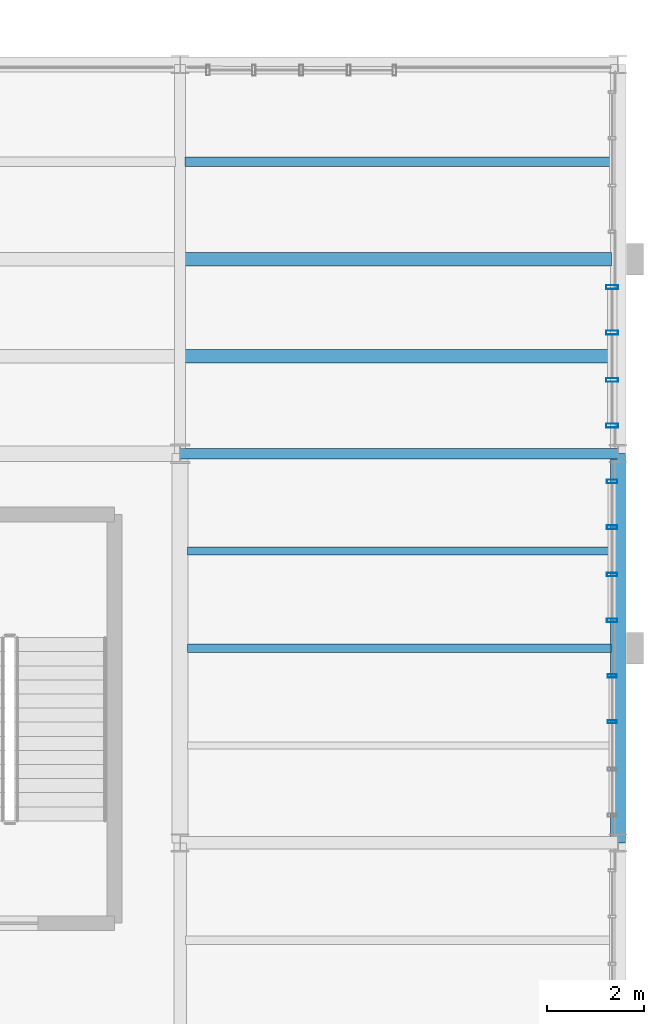
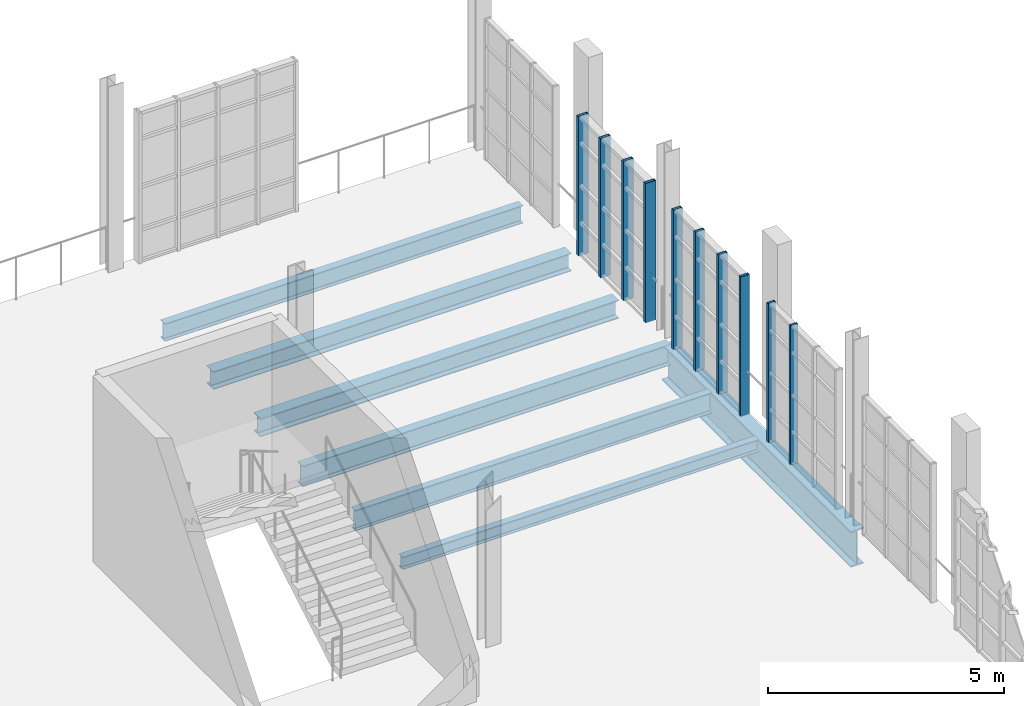
# One storey, part 59 of 122: 10 members, 7 beams, 3 elements without a shape of their own.
"""IFC4 building model written with IfcOpenShell, lengths in metres."""

from ifc_helpers import new_model, si_unit, direction, frame, origin, origin_2d, place, context, subcontext, project, spatial, hollow_rectangle, i_section, extrude, material, layer, layer_set, material_profile, profile_set, type_object, element, aggregate, save


model = new_model("IFC4")

# Units and contexts
model_context = context("Model", 3, precision=1e-05, world=origin(), true_north=direction((0.0, 1.0)))
body_context = subcontext(model_context, "Body", "Model", "MODEL_VIEW")
ifc_project = project(units=[si_unit("LENGTHUNIT", "METRE"), si_unit("AREAUNIT", "SQUARE_METRE"), si_unit("VOLUMEUNIT", "CUBIC_METRE"), si_unit("PLANEANGLEUNIT", "RADIAN"), si_unit("MASSUNIT", "GRAM", prefix="KILO"), si_unit("THERMODYNAMICTEMPERATUREUNIT", "KELVIN"), si_unit("POWERUNIT", "WATT")], contexts=[model_context])

# Site, building, storey
site_placement = place(None, origin())
site = spatial("IfcSite", under=ifc_project, at=site_placement, CompositionType="ELEMENT")
building_placement = place(site_placement, origin())
building = spatial("IfcBuilding", under=site, at=building_placement, Name="Zelmaris Science Centre", CompositionType="ELEMENT")
storey_placement = place(building_placement, frame((0.0, 0.0, 10.800048828125)))
storey = spatial("IfcBuildingStorey", under=building, at=storey_placement, Name="L02", CompositionType="ELEMENT", Elevation=10.800048828125)

# Curtain wall, members
ifc_material_1 = material(Name="Anodised architectural aluminium 6063-T6", Category="aluminium")
ifc_layer_1 = layer(ifc_material_1, 0.2099609375, Name="Anodised architectural aluminium 6063-T6")
ifc_layer_set_1 = layer_set([ifc_layer_1], Name="Anodised architectural aluminium 6063-T6")
curtain_wall_type_1 = type_object("IfcCurtainWallType", Name="Curtain Wall CW-03", PredefinedType="USERDEFINED", material=ifc_layer_set_1)
curtain_wall_1_placement = place(storey_placement, origin())
curtain_wall_1 = element("IfcCurtainWall", 1, at=curtain_wall_1_placement, inside=storey, type_object=curtain_wall_type_1, Name="L02 Unitised curtain wall 227", ObjectType="GLAZED CURTAIN WALL", PredefinedType="USERDEFINED")
ifc_material_profile_1 = material_profile(ifc_material_1, hollow_rectangle(XDim=0.06494140625, YDim=0.179931640625, WallThickness=0.00390625, at=origin_2d()), Name="ALU-MUL-65X180")
ifc_profile_set_1 = profile_set([ifc_material_profile_1], Name="Anodised architectural aluminium 6063-T6")
member_type_1 = type_object("IfcMemberType", Name="ALU-MUL-65X180", PredefinedType="MULLION", material=ifc_profile_set_1)
member_1_placement = place(storey_placement, frame((143.8798828125, 43.431396484375, -0.01513671875), z_axis=(0.0, 0.0, 1.0), x_axis=(0.0, -1.0, 0.0)))
member_1 = element("IfcMember", 2, at=member_1_placement, type_object=member_type_1, Name="CW-03 mullion 1", PredefinedType="MULLION", context=body_context, shape_type="SweptSolid", body=[
    extrude(hollow_rectangle(XDim=0.06494140625, YDim=0.179931640625, WallThickness=0.00390625, at=origin_2d()), origin(), (0.0, 0.0, 1.0), 3.60107421875),
])
member_2_placement = place(storey_placement, frame((143.8798828125, 42.486572265625, -0.01513671875), z_axis=(0.0, 0.0, 1.0), x_axis=(0.0, -1.0, 0.0)))
member_2 = element("IfcMember", 3, at=member_2_placement, type_object=member_type_1, Name="CW-03 mullion 2", PredefinedType="MULLION", context=body_context, shape_type="SweptSolid", body=[
    extrude(hollow_rectangle(XDim=0.06494140625, YDim=0.179931640625, WallThickness=0.00390625, at=origin_2d()), origin(), (0.0, 0.0, 1.0), 3.60107421875),
])
aggregate(curtain_wall_1, [member_1, member_2])

ifc_layer_2 = layer(ifc_material_1, 0.199951171875, Name="Anodised architectural aluminium 6063-T6")
ifc_layer_set_2 = layer_set([ifc_layer_2], Name="Anodised architectural aluminium 6063-T6")
curtain_wall_type_2 = type_object("IfcCurtainWallType", Name="Curtain Wall CW-02", PredefinedType="USERDEFINED", material=ifc_layer_set_2)
curtain_wall_2_placement = place(storey_placement, origin())
curtain_wall_2 = element("IfcCurtainWall", 4, at=curtain_wall_2_placement, inside=storey, type_object=curtain_wall_type_2, Name="L02 Unitised curtain wall 226", ObjectType="GLAZED CURTAIN WALL", PredefinedType="USERDEFINED")
ifc_material_profile_2 = material_profile(ifc_material_1, hollow_rectangle(XDim=0.074951171875, YDim=0.219970703125, WallThickness=0.0048828125, at=origin_2d()), Name="ALU-MUL-75X220")
ifc_profile_set_2 = profile_set([ifc_material_profile_2], Name="Anodised architectural aluminium 6063-T6")
member_type_2 = type_object("IfcMemberType", Name="ALU-MUL-75X220", PredefinedType="MULLION", material=ifc_profile_set_2)
member_3_placement = place(storey_placement, frame((143.8798828125, 47.426513671875, -0.01513671875), z_axis=(0.0, 0.0, 1.0), x_axis=(0.0, -1.0, 0.0)))
member_3 = element("IfcMember", 5, at=member_3_placement, type_object=member_type_2, Name="CW-02 mullion 1", PredefinedType="MULLION", context=body_context, shape_type="SweptSolid", body=[
    extrude(hollow_rectangle(XDim=0.074951171875, YDim=0.219970703125, WallThickness=0.0048828125, at=origin_2d()), origin(), (0.0, 0.0, 1.0), 3.608154296875),
])
member_4_placement = place(storey_placement, frame((143.8798828125, 46.486572265625, -0.01513671875), z_axis=(0.0, 0.0, 1.0), x_axis=(0.0, -1.0, 0.0)))
member_4 = element("IfcMember", 6, at=member_4_placement, type_object=member_type_2, Name="CW-02 mullion 2", PredefinedType="MULLION", context=body_context, shape_type="SweptSolid", body=[
    extrude(hollow_rectangle(XDim=0.074951171875, YDim=0.219970703125, WallThickness=0.0048828125, at=origin_2d()), origin(), (0.0, 0.0, 1.0), 3.608154296875),
])
member_5_placement = place(storey_placement, frame((143.8798828125, 45.513427734375, -0.01513671875), z_axis=(0.0, 0.0, 1.0), x_axis=(0.0, -1.0, 0.0)))
member_5 = element("IfcMember", 7, at=member_5_placement, type_object=member_type_2, Name="CW-02 mullion 3", PredefinedType="MULLION", context=body_context, shape_type="SweptSolid", body=[
    extrude(hollow_rectangle(XDim=0.074951171875, YDim=0.219970703125, WallThickness=0.0048828125, at=origin_2d()), origin(), (0.0, 0.0, 1.0), 3.608154296875),
])
member_6_placement = place(storey_placement, frame((143.8798828125, 44.573486328125, -0.01513671875), z_axis=(0.0, 0.0, 1.0), x_axis=(0.0, -1.0, 0.0)))
member_6 = element("IfcMember", 8, at=member_6_placement, type_object=member_type_2, Name="CW-02 mullion 4", PredefinedType="MULLION", context=body_context, shape_type="SweptSolid", body=[
    extrude(hollow_rectangle(XDim=0.074951171875, YDim=0.219970703125, WallThickness=0.0048828125, at=origin_2d()), origin(), (0.0, 0.0, 1.0), 3.608154296875),
])
aggregate(curtain_wall_2, [member_3, member_4, member_5, member_6])

ifc_layer_3 = layer(ifc_material_1, 0.18994140625, Name="Anodised architectural aluminium 6063-T6")
ifc_layer_set_3 = layer_set([ifc_layer_3], Name="Anodised architectural aluminium 6063-T6")
curtain_wall_type_3 = type_object("IfcCurtainWallType", Name="Curtain Wall CW-01", PredefinedType="USERDEFINED", material=ifc_layer_set_3)
curtain_wall_3_placement = place(storey_placement, origin())
curtain_wall_3 = element("IfcCurtainWall", 9, at=curtain_wall_3_placement, inside=storey, type_object=curtain_wall_type_3, Name="L02 Unitised curtain wall 225", ObjectType="GLAZED CURTAIN WALL", PredefinedType="USERDEFINED")
ifc_material_profile_3 = material_profile(ifc_material_1, hollow_rectangle(XDim=0.080078125, YDim=0.25, WallThickness=0.0048828125, at=origin_2d()), Name="ALU-MUL-80X250")
ifc_profile_set_3 = profile_set([ifc_material_profile_3], Name="Anodised architectural aluminium 6063-T6")
member_type_3 = type_object("IfcMemberType", Name="ALU-MUL-80X250", PredefinedType="MULLION", material=ifc_profile_set_3)
member_7_placement = place(storey_placement, frame((143.8798828125, 51.424072265625, -0.01513671875), z_axis=(0.0, 0.0, 1.0), x_axis=(0.0, -1.0, 0.0)))
member_7 = element("IfcMember", 10, at=member_7_placement, type_object=member_type_3, Name="CW-01 mullion 1", PredefinedType="MULLION", context=body_context, shape_type="SweptSolid", body=[
    extrude(hollow_rectangle(XDim=0.080078125, YDim=0.25, WallThickness=0.0048828125, at=origin_2d()), origin(), (0.0, 0.0, 1.0), 3.608154296875),
])
member_8_placement = place(storey_placement, frame((143.8798828125, 50.486572265625, -0.01513671875), z_axis=(0.0, 0.0, 1.0), x_axis=(0.0, -1.0, 0.0)))
member_8 = element("IfcMember", 11, at=member_8_placement, type_object=member_type_3, Name="CW-01 mullion 2", PredefinedType="MULLION", context=body_context, shape_type="SweptSolid", body=[
    extrude(hollow_rectangle(XDim=0.080078125, YDim=0.25, WallThickness=0.0048828125, at=origin_2d()), origin(), (0.0, 0.0, 1.0), 3.608154296875),
])
member_9_placement = place(storey_placement, frame((143.8798828125, 49.513427734375, -0.01513671875), z_axis=(0.0, 0.0, 1.0), x_axis=(0.0, -1.0, 0.0)))
member_9 = element("IfcMember", 12, at=member_9_placement, type_object=member_type_3, Name="CW-01 mullion 3", PredefinedType="MULLION", context=body_context, shape_type="SweptSolid", body=[
    extrude(hollow_rectangle(XDim=0.080078125, YDim=0.25, WallThickness=0.0048828125, at=origin_2d()), origin(), (0.0, 0.0, 1.0), 3.608154296875),
])
member_10_placement = place(storey_placement, frame((143.8798828125, 48.575927734375, -0.01513671875), z_axis=(0.0, 0.0, 1.0), x_axis=(0.0, -1.0, 0.0)))
member_10 = element("IfcMember", 13, at=member_10_placement, type_object=member_type_3, Name="CW-01 mullion 4", PredefinedType="MULLION", context=body_context, shape_type="SweptSolid", body=[
    extrude(hollow_rectangle(XDim=0.080078125, YDim=0.25, WallThickness=0.0048828125, at=origin_2d()), origin(), (0.0, 0.0, 1.0), 3.608154296875),
])
aggregate(curtain_wall_3, [member_7, member_8, member_9, member_10])

# Beams
ifc_material_2 = material(Name="Steel ASTM A992 Grade 50", Category="steel")
ifc_material_profile_4 = material_profile(ifc_material_2, i_section(OverallWidth=0.2109375, OverallDepth=0.5380859375, WebThickness=0.01171875, FlangeThickness=0.018798828125, FilletRadius=0.013916015625, at=origin_2d()), Name="W21X73")
ifc_profile_set_4 = profile_set([ifc_material_profile_4], Name="Steel ASTM A992 Grade 50")
beam_type_1 = type_object("IfcBeamType", Name="Beam G-19 W21X73", PredefinedType="BEAM", material=ifc_profile_set_4)
beam_1_placement = place(storey_placement, frame((135.0, 48.0, -0.529052734375), z_axis=(1.0, 0.0, 0.0), x_axis=(0.0, 1.0, 0.0)))
element("IfcBeam", 14, at=beam_1_placement, inside=storey, type_object=beam_type_1, Name="L02 East-west girder 570", PredefinedType="BEAM", context=body_context, shape_type="SweptSolid", body=[
    extrude(i_section(OverallWidth=0.2109375, OverallDepth=0.5380859375, WebThickness=0.01171875, FlangeThickness=0.018798828125, FilletRadius=0.013916015625, at=origin_2d()), origin(), (0.0, 0.0, 1.0), 9.0),
])
ifc_material_profile_5 = material_profile(ifc_material_2, i_section(OverallWidth=0.31005859375, OverallDepth=0.931884765625, WebThickness=0.02099609375, FlangeThickness=0.034423828125, FilletRadius=0.02392578125, at=origin_2d()), Name="W36X210")
ifc_profile_set_5 = profile_set([ifc_material_profile_5], Name="Steel ASTM A992 Grade 50")
beam_type_2 = type_object("IfcBeamType", Name="Beam G-25 W36X210", PredefinedType="BEAM", material=ifc_profile_set_5)
beam_2_placement = place(storey_placement, frame((144.0, 40.0, -0.72607421875), z_axis=(0.0, 1.0, 0.0), x_axis=(-1.0, 0.0, 0.0)))
element("IfcBeam", 15, at=beam_2_placement, inside=storey, type_object=beam_type_2, Name="L02 North-south girder 541", PredefinedType="BEAM", context=body_context, shape_type="SweptSolid", body=[
    extrude(i_section(OverallWidth=0.31005859375, OverallDepth=0.931884765625, WebThickness=0.02099609375, FlangeThickness=0.034423828125, FilletRadius=0.02392578125, at=origin_2d()), origin(), (0.0, 0.0, 1.0), 8.0),
])
ifc_material_profile_6 = material_profile(ifc_material_2, i_section(OverallWidth=0.16796875, OverallDepth=0.532958984375, WebThickness=0.01025390625, FlangeThickness=0.0166015625, FilletRadius=0.013916015625, at=origin_2d()), Name="W21X57")
ifc_profile_set_6 = profile_set([ifc_material_profile_6], Name="Steel ASTM A992 Grade 50")
beam_type_3 = type_object("IfcBeamType", Name="Beam J-01 W21X57", PredefinedType="JOIST", material=ifc_profile_set_6)
beam_3_placement = place(storey_placement, frame((135.1474609375, 46.0, -0.526611328125), z_axis=(1.0, 0.0, 0.0), x_axis=(0.0, 1.0, 0.0)))
element("IfcBeam", 16, at=beam_3_placement, inside=storey, type_object=beam_type_3, Name="L02 Composite floor joist 315", PredefinedType="JOIST", context=body_context, shape_type="SweptSolid", body=[
    extrude(i_section(OverallWidth=0.16796875, OverallDepth=0.532958984375, WebThickness=0.01025390625, FlangeThickness=0.0166015625, FilletRadius=0.013916015625, at=origin_2d()), origin(), (0.0, 0.0, 1.0), 8.712646484375),
])
ifc_material_profile_7 = material_profile(ifc_material_2, i_section(OverallWidth=0.281982421875, OverallDepth=0.471923828125, WebThickness=0.013671875, FlangeThickness=0.022216796875, FilletRadius=0.012939453125, at=origin_2d()), Name="W18X97")
ifc_profile_set_7 = profile_set([ifc_material_profile_7], Name="Steel ASTM A992 Grade 50")
beam_type_4 = type_object("IfcBeamType", Name="Beam J-02 W18X97", PredefinedType="JOIST", material=ifc_profile_set_7)
beam_4_placement = place(storey_placement, frame((135.099609375, 50.0, -0.49609375), z_axis=(1.0, 0.0, 0.0), x_axis=(0.0, 1.0, 0.0)))
element("IfcBeam", 17, at=beam_4_placement, inside=storey, type_object=beam_type_4, Name="L02 Composite floor joist 316", PredefinedType="JOIST", context=body_context, shape_type="SweptSolid", body=[
    extrude(i_section(OverallWidth=0.281982421875, OverallDepth=0.471923828125, WebThickness=0.013671875, FlangeThickness=0.022216796875, FilletRadius=0.012939453125, at=origin_2d()), origin(), (0.0, 0.0, 1.0), 8.762939453125),
])
ifc_material_profile_8 = material_profile(ifc_material_2, i_section(OverallWidth=0.279052734375, OverallDepth=0.4619140625, WebThickness=0.0107421875, FlangeThickness=0.017333984375, FilletRadius=0.012939453125, at=origin_2d()), Name="W18X76")
ifc_profile_set_8 = profile_set([ifc_material_profile_8], Name="Steel ASTM A992 Grade 50")
beam_type_5 = type_object("IfcBeamType", Name="Beam J-03 W18X76", PredefinedType="JOIST", material=ifc_profile_set_8)
beam_5_placement = place(storey_placement, frame((135.099609375, 52.0, -0.490966796875), z_axis=(1.0, 0.0, 0.0), x_axis=(0.0, 1.0, 0.0)))
element("IfcBeam", 18, at=beam_5_placement, inside=storey, type_object=beam_type_5, Name="L02 Composite floor joist 317", PredefinedType="JOIST", context=body_context, shape_type="SweptSolid", body=[
    extrude(i_section(OverallWidth=0.279052734375, OverallDepth=0.4619140625, WebThickness=0.0107421875, FlangeThickness=0.017333984375, FilletRadius=0.012939453125, at=origin_2d()), origin(), (0.0, 0.0, 1.0), 8.762939453125),
])
ifc_material_profile_9 = material_profile(ifc_material_2, i_section(OverallWidth=0.19091796875, OverallDepth=0.4599609375, WebThickness=0.010009765625, FlangeThickness=0.01611328125, FilletRadius=0.012939453125, at=origin_2d()), Name="W18X55")
ifc_profile_set_9 = profile_set([ifc_material_profile_9], Name="Steel ASTM A992 Grade 50")
beam_type_6 = type_object("IfcBeamType", Name="Beam J-04 W18X55", PredefinedType="JOIST", material=ifc_profile_set_9)
beam_6_placement = place(storey_placement, frame((135.099609375, 54.0, -0.489990234375), z_axis=(1.0, 0.0, 0.0), x_axis=(0.0, 1.0, 0.0)))
element("IfcBeam", 19, at=beam_6_placement, inside=storey, type_object=beam_type_6, Name="L02 Composite floor joist 318", PredefinedType="JOIST", context=body_context, shape_type="SweptSolid", body=[
    extrude(i_section(OverallWidth=0.19091796875, OverallDepth=0.4599609375, WebThickness=0.010009765625, FlangeThickness=0.01611328125, FilletRadius=0.012939453125, at=origin_2d()), origin(), (0.0, 0.0, 1.0), 8.762939453125),
])
ifc_material_profile_10 = material_profile(ifc_material_2, i_section(OverallWidth=0.1669921875, OverallDepth=0.318115234375, WebThickness=0.007568359375, FlangeThickness=0.01318359375, FilletRadius=0.011962890625, at=origin_2d()), Name="W12X35")
ifc_profile_set_10 = profile_set([ifc_material_profile_10], Name="Steel ASTM A992 Grade 50")
beam_type_7 = type_object("IfcBeamType", Name="Beam J-09 W12X35", PredefinedType="JOIST", material=ifc_profile_set_10)
beam_7_placement = place(storey_placement, frame((135.1474609375, 44.0, -0.4189453125), z_axis=(1.0, 0.0, 0.0), x_axis=(0.0, 1.0, 0.0)))
element("IfcBeam", 20, at=beam_7_placement, inside=storey, type_object=beam_type_7, Name="L02 Composite floor joist 314", PredefinedType="JOIST", context=body_context, shape_type="SweptSolid", body=[
    extrude(i_section(OverallWidth=0.1669921875, OverallDepth=0.318115234375, WebThickness=0.007568359375, FlangeThickness=0.01318359375, FilletRadius=0.011962890625, at=origin_2d()), origin(), (0.0, 0.0, 1.0), 8.712646484375),
])

save(model, "model.ifc")
